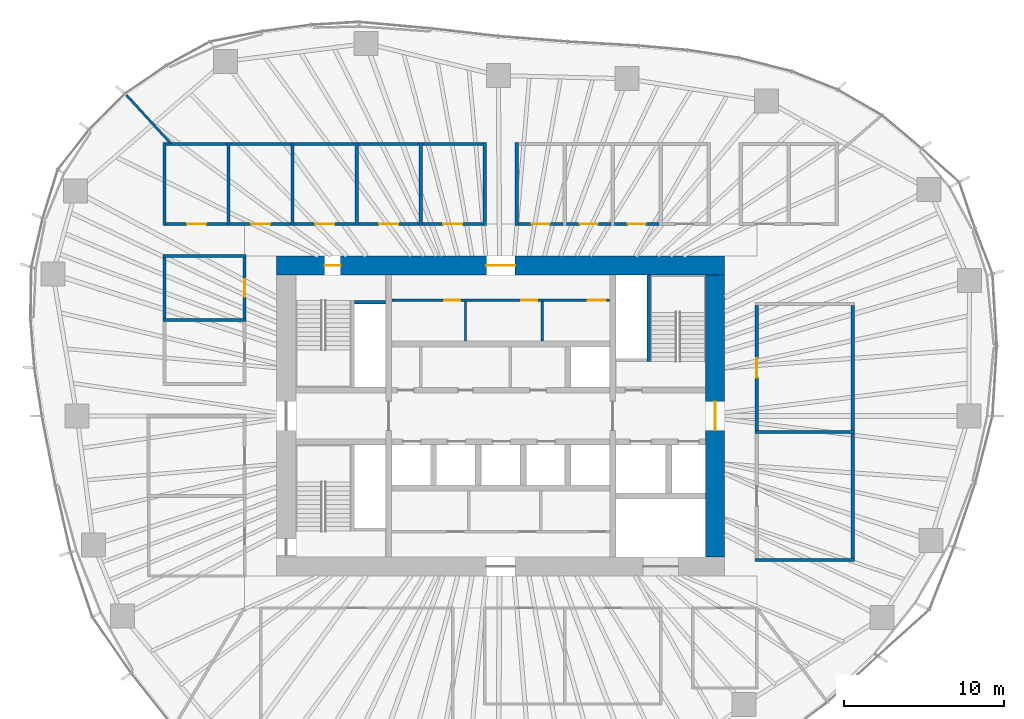
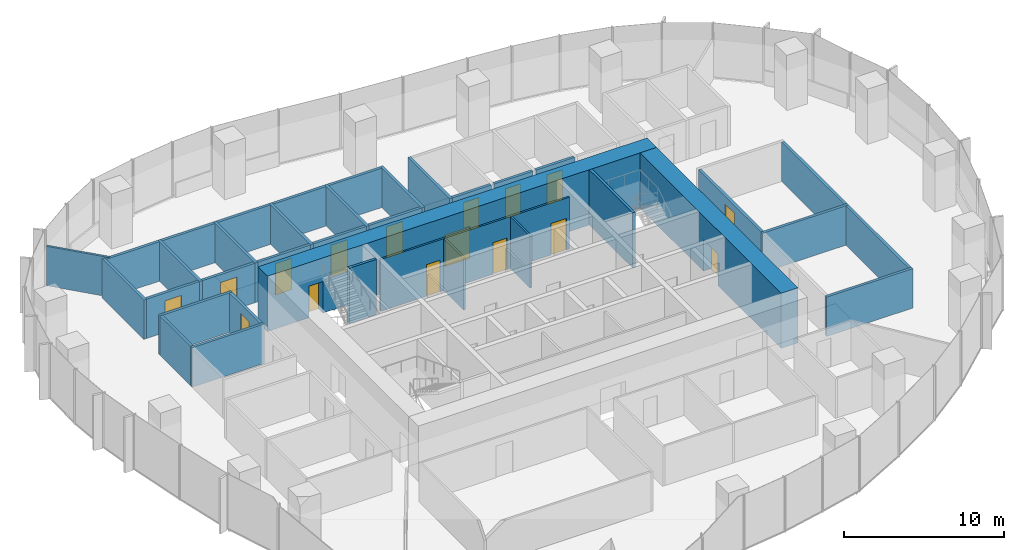
# One storey, part 10 of 18: 37 walls, 16 doors, 16 openings.
"""IFC4 building model written with IfcOpenShell, lengths in metres."""

from ifc_helpers import new_model, si_unit, direction, frame, frame_2d, origin, place, context, subcontext, project, spatial, rectangle, extrude, material, layer, layer_set, type_object, element, fill, save


model = new_model("IFC4")

# Units and contexts
model_context = context("Model", 3, precision=1e-05, world=origin(), true_north=direction((0.0, 1.0)))
body_context = subcontext(model_context, "Body", "Model", "MODEL_VIEW")
ifc_project = project(units=[si_unit("LENGTHUNIT", "METRE"), si_unit("AREAUNIT", "SQUARE_METRE"), si_unit("VOLUMEUNIT", "CUBIC_METRE"), si_unit("PLANEANGLEUNIT", "RADIAN"), si_unit("MASSUNIT", "GRAM", prefix="KILO")], contexts=[model_context])

# Site, building, storey
site_placement = place(None, origin())
site = spatial("IfcSite", under=ifc_project, at=site_placement, CompositionType="ELEMENT")
building_placement = place(site_placement, origin())
building = spatial("IfcBuilding", under=site, at=building_placement, Name="Ghaith Harvest Tower", CompositionType="ELEMENT")
storey_placement = place(building_placement, frame((0.0, 0.0, 142.800048828125)))
storey = spatial("IfcBuildingStorey", under=building, at=storey_placement, Name="L30", CompositionType="ELEMENT", Elevation=142.800048828125)

# Walls
ifc_material_1 = material(Name="Twin-stud gypsum board, acoustic", Category="gypsum")
ifc_layer_1 = layer(ifc_material_1, 0.199951171875)
ifc_layer_set_1 = layer_set([ifc_layer_1], Name="ACOUSTIC PARTITION 200")
wall_type_1 = type_object("IfcWallType", Name="ACOUSTIC PARTITION 200", PredefinedType="PARTITIONING", material=ifc_layer_set_1)
for number, where, z_axis, x_axis, name in (
    (1, (-21.0, 11.89990234375, 0.0), (0.0, 0.0, 1.0), (0.0, 1.0, 0.0), "Partition L30 row N3 cross wall 1"),
    (2, (-17.0, 11.89990234375, 0.0), (0.0, 0.0, 1.0), (0.0, 1.0, 0.0), "Partition L30 row N3 cross wall 2"),
    (3, (-13.0, 11.89990234375, 0.0), (0.0, 0.0, 1.0), (0.0, 1.0, 0.0), "Partition L30 row N3 cross wall 3"),
    (4, (-9.0, 11.89990234375, 0.0), (0.0, 0.0, 1.0), (0.0, 1.0, 0.0), "Partition L30 row N3 cross wall 4"),
    (5, (-5.0, 11.89990234375, 0.0), (0.0, 0.0, 1.0), (0.0, 1.0, 0.0), "Partition L30 row N3 cross wall 5"),
    (6, (-1.0, 11.89990234375, 0.0), (0.0, 0.0, 1.0), (0.0, 1.0, 0.0), "Partition L30 row N3 cross wall 6"),
):
    element("IfcWall", number, at=place(storey_placement, frame(where, z_axis=z_axis, x_axis=x_axis)), inside=storey, type_object=wall_type_1, Name=name, PredefinedType="PARTITIONING", context=body_context, shape_type="SweptSolid", body=[
        extrude(rectangle(XDim=5.2001953125, YDim=0.199951171875, at=frame_2d((2.60009765625, 0.0))), origin(), (0.0, 0.0, 1.0), 3.0),
    ])

# Wall, opening, door
wall_1_placement = place(storey_placement, frame((-20.89990234375, 12.0, 0.0), z_axis=(0.0, 0.0, 1.0), x_axis=(1.0, 0.0, 0.0)))
wall_1 = element("IfcWall", 7, at=wall_1_placement, inside=storey, type_object=wall_type_1, Name="Partition L30-04", PredefinedType="PARTITIONING", context=body_context, shape_type="SweptSolid", body=[
    extrude(rectangle(XDim=3.7998046875, YDim=0.199951171875, at=frame_2d((1.89990234375, 0.0))), origin(), (0.0, 0.0, 1.0), 3.0),
])
opening_1_placement = place(wall_1_placement, frame((1.300048828125, 0.0, 0.0)))
opening_1 = element("IfcOpeningElement", 8, at=opening_1_placement, cuts=wall_1, Name="Opening 30-029", PredefinedType="OPENING", context=body_context, shape_type="SweptSolid", body=[
    extrude(rectangle(XDim=1.199951171875, YDim=2.39990234375, at=frame_2d((0.60009765625, 1.199951171875))), frame((0.0, 0.10986328125, 0.0), z_axis=(0.0, -1.0, 0.0), x_axis=(1.0, 0.0, 0.0)), (0.0, 0.0, 1.0), 0.219970703125),
])
ifc_material_2 = material(Name="Timber door", Category="wood")
door_type_1 = type_object("IfcDoorType", Name="D11 GLAZED 1200x2400", OperationType="SINGLE_SWING_LEFT", PredefinedType="DOOR", material=ifc_material_2)
door_1_placement = place(opening_1_placement, origin())
door_1 = element("IfcDoor", 9, at=door_1_placement, inside=storey, type_object=door_type_1, Name="Meeting room door", OperationType="SINGLE_SWING_LEFT", OverallHeight=2.39990234375, OverallWidth=1.199951171875, PredefinedType="DOOR", context=body_context, shape_type="SweptSolid", body=[
    extrude(rectangle(XDim=1.199951171875, YDim=2.39990234375, at=frame_2d((0.60009765625, 1.199951171875))), frame((0.0, 0.02490234375, 0.0), z_axis=(0.0, -1.0, 0.0), x_axis=(1.0, 0.0, 0.0)), (0.0, 0.0, 1.0), 0.050048828125),
])
fill(opening_1, door_1)

# Wall
wall_2_placement = place(storey_placement, frame((-20.89990234375, 17.0, 0.0), z_axis=(0.0, 0.0, 1.0), x_axis=(1.0, 0.0, 0.0)))
element("IfcWall", 10, at=wall_2_placement, inside=storey, type_object=wall_type_1, Name="Partition L30-04", PredefinedType="PARTITIONING", context=body_context, shape_type="SweptSolid", body=[
    extrude(rectangle(XDim=3.7998046875, YDim=0.199951171875, at=frame_2d((1.89990234375, 0.0))), origin(), (0.0, 0.0, 1.0), 3.0),
])

# Wall, opening, door
wall_3_placement = place(storey_placement, frame((-16.89990234375, 12.0, 0.0), z_axis=(0.0, 0.0, 1.0), x_axis=(1.0, 0.0, 0.0)))
wall_3 = element("IfcWall", 11, at=wall_3_placement, inside=storey, type_object=wall_type_1, Name="Partition L30-05", PredefinedType="PARTITIONING", context=body_context, shape_type="SweptSolid", body=[
    extrude(rectangle(XDim=3.7998046875, YDim=0.199951171875, at=frame_2d((1.89990234375, 0.0))), origin(), (0.0, 0.0, 1.0), 3.0),
])
opening_2_placement = place(wall_3_placement, frame((1.300048828125, 0.0, 0.0)))
opening_2 = element("IfcOpeningElement", 12, at=opening_2_placement, cuts=wall_3, Name="Opening 30-030", PredefinedType="OPENING", context=body_context, shape_type="SweptSolid", body=[
    extrude(rectangle(XDim=1.199951171875, YDim=2.39990234375, at=frame_2d((0.60009765625, 1.199951171875))), frame((0.0, 0.10986328125, 0.0), z_axis=(0.0, -1.0, 0.0), x_axis=(1.0, 0.0, 0.0)), (0.0, 0.0, 1.0), 0.219970703125),
])
door_2_placement = place(opening_2_placement, origin())
door_2 = element("IfcDoor", 13, at=door_2_placement, inside=storey, type_object=door_type_1, Name="Meeting room door", OperationType="SINGLE_SWING_LEFT", OverallHeight=2.39990234375, OverallWidth=1.199951171875, PredefinedType="DOOR", context=body_context, shape_type="SweptSolid", body=[
    extrude(rectangle(XDim=1.199951171875, YDim=2.39990234375, at=frame_2d((0.60009765625, 1.199951171875))), frame((0.0, 0.02490234375, 0.0), z_axis=(0.0, -1.0, 0.0), x_axis=(1.0, 0.0, 0.0)), (0.0, 0.0, 1.0), 0.050048828125),
])
fill(opening_2, door_2)

# Wall
wall_4_placement = place(storey_placement, frame((-16.89990234375, 17.0, 0.0), z_axis=(0.0, 0.0, 1.0), x_axis=(1.0, 0.0, 0.0)))
element("IfcWall", 14, at=wall_4_placement, inside=storey, type_object=wall_type_1, Name="Partition L30-05", PredefinedType="PARTITIONING", context=body_context, shape_type="SweptSolid", body=[
    extrude(rectangle(XDim=3.7998046875, YDim=0.199951171875, at=frame_2d((1.89990234375, 0.0))), origin(), (0.0, 0.0, 1.0), 3.0),
])

# Wall, opening, door
wall_5_placement = place(storey_placement, frame((-12.89990234375, 12.0, 0.0), z_axis=(0.0, 0.0, 1.0), x_axis=(1.0, 0.0, 0.0)))
wall_5 = element("IfcWall", 15, at=wall_5_placement, inside=storey, type_object=wall_type_1, Name="Partition L30-06", PredefinedType="PARTITIONING", context=body_context, shape_type="SweptSolid", body=[
    extrude(rectangle(XDim=3.7998046875, YDim=0.199951171875, at=frame_2d((1.89990234375, 0.0))), origin(), (0.0, 0.0, 1.0), 3.0),
])
opening_3_placement = place(wall_5_placement, frame((1.300048828125, 0.0, 0.0)))
opening_3 = element("IfcOpeningElement", 16, at=opening_3_placement, cuts=wall_5, Name="Opening 30-031", PredefinedType="OPENING", context=body_context, shape_type="SweptSolid", body=[
    extrude(rectangle(XDim=1.199951171875, YDim=2.39990234375, at=frame_2d((0.60009765625, 1.199951171875))), frame((0.0, 0.10986328125, 0.0), z_axis=(0.0, -1.0, 0.0), x_axis=(1.0, 0.0, 0.0)), (0.0, 0.0, 1.0), 0.219970703125),
])
door_3_placement = place(opening_3_placement, origin())
door_3 = element("IfcDoor", 17, at=door_3_placement, inside=storey, type_object=door_type_1, Name="Meeting room door", OperationType="SINGLE_SWING_LEFT", OverallHeight=2.39990234375, OverallWidth=1.199951171875, PredefinedType="DOOR", context=body_context, shape_type="SweptSolid", body=[
    extrude(rectangle(XDim=1.199951171875, YDim=2.39990234375, at=frame_2d((0.60009765625, 1.199951171875))), frame((0.0, 0.02490234375, 0.0), z_axis=(0.0, -1.0, 0.0), x_axis=(1.0, 0.0, 0.0)), (0.0, 0.0, 1.0), 0.050048828125),
])
fill(opening_3, door_3)

# Wall
wall_6_placement = place(storey_placement, frame((-12.89990234375, 17.0, 0.0), z_axis=(0.0, 0.0, 1.0), x_axis=(1.0, 0.0, 0.0)))
element("IfcWall", 18, at=wall_6_placement, inside=storey, type_object=wall_type_1, Name="Partition L30-06", PredefinedType="PARTITIONING", context=body_context, shape_type="SweptSolid", body=[
    extrude(rectangle(XDim=3.7998046875, YDim=0.199951171875, at=frame_2d((1.89990234375, 0.0))), origin(), (0.0, 0.0, 1.0), 3.0),
])

# Wall, opening, door
wall_7_placement = place(storey_placement, frame((-8.89990234375, 12.0, 0.0), z_axis=(0.0, 0.0, 1.0), x_axis=(1.0, 0.0, 0.0)))
wall_7 = element("IfcWall", 19, at=wall_7_placement, inside=storey, type_object=wall_type_1, Name="Partition L30-07", PredefinedType="PARTITIONING", context=body_context, shape_type="SweptSolid", body=[
    extrude(rectangle(XDim=3.7998046875, YDim=0.199951171875, at=frame_2d((1.89990234375, 0.0))), origin(), (0.0, 0.0, 1.0), 3.0),
])
opening_4_placement = place(wall_7_placement, frame((1.300048828125, 0.0, 0.0)))
opening_4 = element("IfcOpeningElement", 20, at=opening_4_placement, cuts=wall_7, Name="Opening 30-032", PredefinedType="OPENING", context=body_context, shape_type="SweptSolid", body=[
    extrude(rectangle(XDim=1.199951171875, YDim=2.39990234375, at=frame_2d((0.60009765625, 1.199951171875))), frame((0.0, 0.10986328125, 0.0), z_axis=(0.0, -1.0, 0.0), x_axis=(1.0, 0.0, 0.0)), (0.0, 0.0, 1.0), 0.219970703125),
])
door_4_placement = place(opening_4_placement, origin())
door_4 = element("IfcDoor", 21, at=door_4_placement, inside=storey, type_object=door_type_1, Name="Meeting room door", OperationType="SINGLE_SWING_LEFT", OverallHeight=2.39990234375, OverallWidth=1.199951171875, PredefinedType="DOOR", context=body_context, shape_type="SweptSolid", body=[
    extrude(rectangle(XDim=1.199951171875, YDim=2.39990234375, at=frame_2d((0.60009765625, 1.199951171875))), frame((0.0, 0.02490234375, 0.0), z_axis=(0.0, -1.0, 0.0), x_axis=(1.0, 0.0, 0.0)), (0.0, 0.0, 1.0), 0.050048828125),
])
fill(opening_4, door_4)

# Wall
wall_8_placement = place(storey_placement, frame((-8.89990234375, 17.0, 0.0), z_axis=(0.0, 0.0, 1.0), x_axis=(1.0, 0.0, 0.0)))
element("IfcWall", 22, at=wall_8_placement, inside=storey, type_object=wall_type_1, Name="Partition L30-07", PredefinedType="PARTITIONING", context=body_context, shape_type="SweptSolid", body=[
    extrude(rectangle(XDim=3.7998046875, YDim=0.199951171875, at=frame_2d((1.89990234375, 0.0))), origin(), (0.0, 0.0, 1.0), 3.0),
])

# Wall, opening, door
wall_9_placement = place(storey_placement, frame((-4.89990234375, 12.0, 0.0), z_axis=(0.0, 0.0, 1.0), x_axis=(1.0, 0.0, 0.0)))
wall_9 = element("IfcWall", 23, at=wall_9_placement, inside=storey, type_object=wall_type_1, Name="Partition L30-08", PredefinedType="PARTITIONING", context=body_context, shape_type="SweptSolid", body=[
    extrude(rectangle(XDim=3.7998046875, YDim=0.199951171875, at=frame_2d((1.89990234375, 0.0))), origin(), (0.0, 0.0, 1.0), 3.0),
])
opening_5_placement = place(wall_9_placement, frame((1.300048828125, 0.0, 0.0)))
opening_5 = element("IfcOpeningElement", 24, at=opening_5_placement, cuts=wall_9, Name="Opening 30-033", PredefinedType="OPENING", context=body_context, shape_type="SweptSolid", body=[
    extrude(rectangle(XDim=1.199951171875, YDim=2.39990234375, at=frame_2d((0.60009765625, 1.199951171875))), frame((0.0, 0.10986328125, 0.0), z_axis=(0.0, -1.0, 0.0), x_axis=(1.0, 0.0, 0.0)), (0.0, 0.0, 1.0), 0.219970703125),
])
door_5_placement = place(opening_5_placement, origin())
door_5 = element("IfcDoor", 25, at=door_5_placement, inside=storey, type_object=door_type_1, Name="Meeting room door", OperationType="SINGLE_SWING_LEFT", OverallHeight=2.39990234375, OverallWidth=1.199951171875, PredefinedType="DOOR", context=body_context, shape_type="SweptSolid", body=[
    extrude(rectangle(XDim=1.199951171875, YDim=2.39990234375, at=frame_2d((0.60009765625, 1.199951171875))), frame((0.0, 0.02490234375, 0.0), z_axis=(0.0, -1.0, 0.0), x_axis=(1.0, 0.0, 0.0)), (0.0, 0.0, 1.0), 0.050048828125),
])
fill(opening_5, door_5)

# Walls
wall_10_placement = place(storey_placement, frame((-4.89990234375, 17.0, 0.0), z_axis=(0.0, 0.0, 1.0), x_axis=(1.0, 0.0, 0.0)))
element("IfcWall", 26, at=wall_10_placement, inside=storey, type_object=wall_type_1, Name="Partition L30-08", PredefinedType="PARTITIONING", context=body_context, shape_type="SweptSolid", body=[
    extrude(rectangle(XDim=3.7998046875, YDim=0.199951171875, at=frame_2d((1.89990234375, 0.0))), origin(), (0.0, 0.0, 1.0), 3.0),
])
wall_11_placement = place(storey_placement, frame((1.0, 11.89990234375, 0.0), z_axis=(0.0, 0.0, 1.0), x_axis=(0.0, 1.0, 0.0)))
element("IfcWall", 27, at=wall_11_placement, inside=storey, type_object=wall_type_1, Name="Partition L30 row N4 cross wall 1", PredefinedType="PARTITIONING", context=body_context, shape_type="SweptSolid", body=[
    extrude(rectangle(XDim=5.2001953125, YDim=0.199951171875, at=frame_2d((2.60009765625, 0.0))), origin(), (0.0, 0.0, 1.0), 3.0),
])

# Wall, opening, door
wall_12_placement = place(storey_placement, frame((1.10009765625, 12.0, 0.0), z_axis=(0.0, 0.0, 1.0), x_axis=(1.0, 0.0, 0.0)))
wall_12 = element("IfcWall", 28, at=wall_12_placement, inside=storey, type_object=wall_type_1, Name="Partition L30-09", PredefinedType="PARTITIONING", context=body_context, shape_type="SweptSolid", body=[
    extrude(rectangle(XDim=2.7998046875, YDim=0.199951171875, at=frame_2d((1.39990234375, 0.0))), origin(), (0.0, 0.0, 1.0), 3.0),
])
opening_6_placement = place(wall_12_placement, frame((0.85009765625, 0.0, 0.0)))
opening_6 = element("IfcOpeningElement", 29, at=opening_6_placement, cuts=wall_12, Name="Opening 30-034", PredefinedType="OPENING", context=body_context, shape_type="SweptSolid", body=[
    extrude(rectangle(XDim=1.10009765625, YDim=2.300048828125, at=frame_2d((0.550048828125, 1.14990234375))), frame((0.0, 0.10986328125, 0.0), z_axis=(0.0, -1.0, 0.0), x_axis=(1.0, 0.0, 0.0)), (0.0, 0.0, 1.0), 0.219970703125),
])
ifc_material_3 = material(Name="Timber-framed glazed door", Category="wood")
door_type_2 = type_object("IfcDoorType", Name="D12 GLAZED OFFICE 1100x2300", OperationType="SINGLE_SWING_LEFT", PredefinedType="DOOR", material=ifc_material_3)
door_6_placement = place(opening_6_placement, origin())
door_6 = element("IfcDoor", 30, at=door_6_placement, inside=storey, type_object=door_type_2, Name="Focus room door", OperationType="SINGLE_SWING_LEFT", OverallHeight=2.300048828125, OverallWidth=1.10009765625, PredefinedType="DOOR", context=body_context, shape_type="SweptSolid", body=[
    extrude(rectangle(XDim=1.10009765625, YDim=2.300048828125, at=frame_2d((0.550048828125, 1.14990234375))), frame((0.0, 0.02490234375, 0.0), z_axis=(0.0, -1.0, 0.0), x_axis=(1.0, 0.0, 0.0)), (0.0, 0.0, 1.0), 0.050048828125),
])
fill(opening_6, door_6)

wall_13_placement = place(storey_placement, frame((4.10009765625, 12.0, 0.0), z_axis=(0.0, 0.0, 1.0), x_axis=(1.0, 0.0, 0.0)))
wall_13 = element("IfcWall", 31, at=wall_13_placement, inside=storey, type_object=wall_type_1, Name="Partition L30-10", PredefinedType="PARTITIONING", context=body_context, shape_type="SweptSolid", body=[
    extrude(rectangle(XDim=2.7998046875, YDim=0.199951171875, at=frame_2d((1.39990234375, 0.0))), origin(), (0.0, 0.0, 1.0), 3.0),
])
opening_7_placement = place(wall_13_placement, frame((0.85009765625, 0.0, 0.0)))
opening_7 = element("IfcOpeningElement", 32, at=opening_7_placement, cuts=wall_13, Name="Opening 30-035", PredefinedType="OPENING", context=body_context, shape_type="SweptSolid", body=[
    extrude(rectangle(XDim=1.10009765625, YDim=2.300048828125, at=frame_2d((0.550048828125, 1.14990234375))), frame((0.0, 0.10986328125, 0.0), z_axis=(0.0, -1.0, 0.0), x_axis=(1.0, 0.0, 0.0)), (0.0, 0.0, 1.0), 0.219970703125),
])
door_7_placement = place(opening_7_placement, origin())
door_7 = element("IfcDoor", 33, at=door_7_placement, inside=storey, type_object=door_type_2, Name="Focus room door", OperationType="SINGLE_SWING_LEFT", OverallHeight=2.300048828125, OverallWidth=1.10009765625, PredefinedType="DOOR", context=body_context, shape_type="SweptSolid", body=[
    extrude(rectangle(XDim=1.10009765625, YDim=2.300048828125, at=frame_2d((0.550048828125, 1.14990234375))), frame((0.0, 0.02490234375, 0.0), z_axis=(0.0, -1.0, 0.0), x_axis=(1.0, 0.0, 0.0)), (0.0, 0.0, 1.0), 0.050048828125),
])
fill(opening_7, door_7)

wall_14_placement = place(storey_placement, frame((7.10009765625, 12.0, 0.0), z_axis=(0.0, 0.0, 1.0), x_axis=(1.0, 0.0, 0.0)))
wall_14 = element("IfcWall", 34, at=wall_14_placement, inside=storey, type_object=wall_type_1, Name="Partition L30-11", PredefinedType="PARTITIONING", context=body_context, shape_type="SweptSolid", body=[
    extrude(rectangle(XDim=2.7998046875, YDim=0.199951171875, at=frame_2d((1.39990234375, 0.0))), origin(), (0.0, 0.0, 1.0), 3.0),
])
opening_8_placement = place(wall_14_placement, frame((0.85009765625, 0.0, 0.0)))
opening_8 = element("IfcOpeningElement", 35, at=opening_8_placement, cuts=wall_14, Name="Opening 30-036", PredefinedType="OPENING", context=body_context, shape_type="SweptSolid", body=[
    extrude(rectangle(XDim=1.10009765625, YDim=2.300048828125, at=frame_2d((0.550048828125, 1.14990234375))), frame((0.0, 0.10986328125, 0.0), z_axis=(0.0, -1.0, 0.0), x_axis=(1.0, 0.0, 0.0)), (0.0, 0.0, 1.0), 0.219970703125),
])
door_8_placement = place(opening_8_placement, origin())
door_8 = element("IfcDoor", 36, at=door_8_placement, inside=storey, type_object=door_type_2, Name="Focus room door", OperationType="SINGLE_SWING_LEFT", OverallHeight=2.300048828125, OverallWidth=1.10009765625, PredefinedType="DOOR", context=body_context, shape_type="SweptSolid", body=[
    extrude(rectangle(XDim=1.10009765625, YDim=2.300048828125, at=frame_2d((0.550048828125, 1.14990234375))), frame((0.0, 0.02490234375, 0.0), z_axis=(0.0, -1.0, 0.0), x_axis=(1.0, 0.0, 0.0)), (0.0, 0.0, 1.0), 0.050048828125),
])
fill(opening_8, door_8)

# Walls
for number, where, z_axis, x_axis, name in (
    (37, (15.89990234375, -9.0, 0.0), (0.0, 0.0, 1.0), (1.0, 0.0, 0.0), "Partition L30 row E5 cross wall 1"),
    (38, (15.89990234375, -1.0, 0.0), (0.0, 0.0, 1.0), (1.0, 0.0, 0.0), "Partition L30 row E5 cross wall 2"),
):
    element("IfcWall", number, at=place(storey_placement, frame(where, z_axis=z_axis, x_axis=x_axis)), inside=storey, type_object=wall_type_1, Name=name, PredefinedType="PARTITIONING", context=body_context, shape_type="SweptSolid", body=[
        extrude(rectangle(XDim=6.2001953125, YDim=0.199951171875, at=frame_2d((3.10009765625, 0.0))), origin(), (0.0, 0.0, 1.0), 3.0),
    ])
wall_15_placement = place(storey_placement, frame((22.0, -8.89990234375, 0.0), z_axis=(0.0, 0.0, 1.0), x_axis=(0.0, 1.0, 0.0)))
element("IfcWall", 39, at=wall_15_placement, inside=storey, type_object=wall_type_1, Name="Partition L30-13", PredefinedType="PARTITIONING", context=body_context, shape_type="SweptSolid", body=[
    extrude(rectangle(XDim=7.7998046875, YDim=0.199951171875, at=frame_2d((3.89990234375, 0.0))), origin(), (0.0, 0.0, 1.0), 3.0),
])

# Wall, opening, door
wall_16_placement = place(storey_placement, frame((16.0, -0.89990234375, 0.0), z_axis=(0.0, 0.0, 1.0), x_axis=(0.0, 1.0, 0.0)))
wall_16 = element("IfcWall", 40, at=wall_16_placement, inside=storey, type_object=wall_type_1, Name="Partition L30-14", PredefinedType="PARTITIONING", context=body_context, shape_type="SweptSolid", body=[
    extrude(rectangle(XDim=7.7998046875, YDim=0.199951171875, at=frame_2d((3.89990234375, 0.0))), origin(), (0.0, 0.0, 1.0), 3.0),
])
opening_9_placement = place(wall_16_placement, frame((3.300048828125, 0.0, 0.0)))
opening_9 = element("IfcOpeningElement", 41, at=opening_9_placement, cuts=wall_16, Name="Opening 30-039", PredefinedType="OPENING", context=body_context, shape_type="SweptSolid", body=[
    extrude(rectangle(XDim=1.199951171875, YDim=2.39990234375, at=frame_2d((0.60009765625, 1.199951171875))), frame((0.0, 0.10986328125, 0.0), z_axis=(0.0, -1.0, 0.0), x_axis=(1.0, 0.0, 0.0)), (0.0, 0.0, 1.0), 0.219970703125),
])
door_9_placement = place(opening_9_placement, origin())
door_9 = element("IfcDoor", 42, at=door_9_placement, inside=storey, type_object=door_type_1, Name="Meeting room door", OperationType="SINGLE_SWING_LEFT", OverallHeight=2.39990234375, OverallWidth=1.199951171875, PredefinedType="DOOR", context=body_context, shape_type="SweptSolid", body=[
    extrude(rectangle(XDim=1.199951171875, YDim=2.39990234375, at=frame_2d((0.60009765625, 1.199951171875))), frame((0.0, 0.02490234375, 0.0), z_axis=(0.0, -1.0, 0.0), x_axis=(1.0, 0.0, 0.0)), (0.0, 0.0, 1.0), 0.050048828125),
])
fill(opening_9, door_9)

# Walls
wall_17_placement = place(storey_placement, frame((22.0, -0.89990234375, 0.0), z_axis=(0.0, 0.0, 1.0), x_axis=(0.0, 1.0, 0.0)))
element("IfcWall", 43, at=wall_17_placement, inside=storey, type_object=wall_type_1, Name="Partition L30-14", PredefinedType="PARTITIONING", context=body_context, shape_type="SweptSolid", body=[
    extrude(rectangle(XDim=7.7998046875, YDim=0.199951171875, at=frame_2d((3.89990234375, 0.0))), origin(), (0.0, 0.0, 1.0), 3.0),
])
for number, where, z_axis, x_axis, name in (
    (44, (-15.89990234375, 6.0, 0.0), (0.0, 0.0, 1.0), (-1.0, 0.0, 0.0), "Partition L30 row W9 cross wall 2"),
    (45, (-15.89990234375, 10.0, 0.0), (0.0, 0.0, 1.0), (-1.0, 0.0, 0.0), "Partition L30 row W9 cross wall 3"),
):
    element("IfcWall", number, at=place(storey_placement, frame(where, z_axis=z_axis, x_axis=x_axis)), inside=storey, type_object=wall_type_1, Name=name, PredefinedType="PARTITIONING", context=body_context, shape_type="SweptSolid", body=[
        extrude(rectangle(XDim=5.2001953125, YDim=0.199951171875, at=frame_2d((2.60009765625, 0.0))), origin(), (0.0, 0.0, 1.0), 3.0),
    ])

# Wall, opening, door
wall_18_placement = place(storey_placement, frame((-16.0, 6.10009765625, 0.0), z_axis=(0.0, 0.0, 1.0), x_axis=(0.0, 1.0, 0.0)))
wall_18 = element("IfcWall", 46, at=wall_18_placement, inside=storey, type_object=wall_type_1, Name="Partition L30-21", PredefinedType="PARTITIONING", context=body_context, shape_type="SweptSolid", body=[
    extrude(rectangle(XDim=3.7998046875, YDim=0.199951171875, at=frame_2d((1.89990234375, 0.0))), origin(), (0.0, 0.0, 1.0), 3.0),
])
opening_10_placement = place(wall_18_placement, frame((1.35009765625, 0.0, 0.0)))
opening_10 = element("IfcOpeningElement", 47, at=opening_10_placement, cuts=wall_18, Name="Opening 30-046", PredefinedType="OPENING", context=body_context, shape_type="SweptSolid", body=[
    extrude(rectangle(XDim=1.10009765625, YDim=2.300048828125, at=frame_2d((0.550048828125, 1.14990234375))), frame((0.0, 0.10986328125, 0.0), z_axis=(0.0, -1.0, 0.0), x_axis=(1.0, 0.0, 0.0)), (0.0, 0.0, 1.0), 0.219970703125),
])
door_10_placement = place(opening_10_placement, origin())
door_10 = element("IfcDoor", 48, at=door_10_placement, inside=storey, type_object=door_type_2, Name="Quiet room door", OperationType="SINGLE_SWING_LEFT", OverallHeight=2.300048828125, OverallWidth=1.10009765625, PredefinedType="DOOR", context=body_context, shape_type="SweptSolid", body=[
    extrude(rectangle(XDim=1.10009765625, YDim=2.300048828125, at=frame_2d((0.550048828125, 1.14990234375))), frame((0.0, 0.02490234375, 0.0), z_axis=(0.0, -1.0, 0.0), x_axis=(1.0, 0.0, 0.0)), (0.0, 0.0, 1.0), 0.050048828125),
])
fill(opening_10, door_10)

# Wall
wall_19_placement = place(storey_placement, frame((-21.0, 6.10009765625, 0.0), z_axis=(0.0, 0.0, 1.0), x_axis=(0.0, 1.0, 0.0)))
element("IfcWall", 49, at=wall_19_placement, inside=storey, type_object=wall_type_1, Name="Partition L30-21", PredefinedType="PARTITIONING", context=body_context, shape_type="SweptSolid", body=[
    extrude(rectangle(XDim=3.7998046875, YDim=0.199951171875, at=frame_2d((1.89990234375, 0.0))), origin(), (0.0, 0.0, 1.0), 3.0),
])

# Wall, openings, doors
ifc_material_4 = material(Name="Concrete blockwork, fair-faced", Category="masonry")
ifc_layer_2 = layer(ifc_material_4, 0.139892578125)
ifc_layer_set_2 = layer_set([ifc_layer_2], Name="CORE PARTITION 140")
wall_type_2 = type_object("IfcWallType", Name="CORE PARTITION 140", PredefinedType="PARTITIONING", material=ifc_layer_set_2)
wall_20_placement = place(storey_placement, frame((-6.800048828125, 7.22998046875, 0.0), z_axis=(0.0, 0.0, 1.0), x_axis=(1.0, 0.0, 0.0)))
wall_20 = element("IfcWall", 50, at=wall_20_placement, inside=storey, type_object=wall_type_2, Name="Core partition L30", PredefinedType="PARTITIONING", context=body_context, shape_type="SweptSolid", body=[
    extrude(rectangle(XDim=13.60009765625, YDim=0.139892578125, at=frame_2d((6.800048828125, 0.0))), origin(), (0.0, 0.0, 1.0), 3.949951171875),
])
opening_11_placement = place(wall_20_placement, frame((3.280029296875, 0.0, 0.0)))
opening_11 = element("IfcOpeningElement", 51, at=opening_11_placement, cuts=wall_20, Name="Opening 30-008", PredefinedType="OPENING", context=body_context, shape_type="SweptSolid", body=[
    extrude(rectangle(XDim=1.0, YDim=2.39990234375, at=frame_2d((0.5, 1.199951171875))), frame((0.0, 0.080078125, 0.0), z_axis=(0.0, -1.0, 0.0), x_axis=(1.0, 0.0, 0.0)), (0.0, 0.0, 1.0), 0.159912109375),
])
opening_12_placement = place(wall_20_placement, frame((8.080078125, 0.0, 0.0)))
opening_12 = element("IfcOpeningElement", 52, at=opening_12_placement, cuts=wall_20, Name="Opening 30-009", PredefinedType="OPENING", context=body_context, shape_type="SweptSolid", body=[
    extrude(rectangle(XDim=1.0, YDim=2.39990234375, at=frame_2d((0.5, 1.199951171875))), frame((0.0, 0.080078125, 0.0), z_axis=(0.0, -1.0, 0.0), x_axis=(1.0, 0.0, 0.0)), (0.0, 0.0, 1.0), 0.159912109375),
])
opening_13_placement = place(wall_20_placement, frame((12.25, 0.0, 0.0)))
opening_13 = element("IfcOpeningElement", 53, at=opening_13_placement, cuts=wall_20, Name="Opening 30-010", PredefinedType="OPENING", context=body_context, shape_type="SweptSolid", body=[
    extrude(rectangle(XDim=1.10009765625, YDim=2.39990234375, at=frame_2d((0.550048828125, 1.199951171875))), frame((0.0, 0.080078125, 0.0), z_axis=(0.0, -1.0, 0.0), x_axis=(1.0, 0.0, 0.0)), (0.0, 0.0, 1.0), 0.159912109375),
])
ifc_material_5 = material(Name="Steel fire door", Category="steel")
door_type_3 = type_object("IfcDoorType", Name="D3 FD90 1000x2400", OperationType="SINGLE_SWING_LEFT", PredefinedType="DOOR", material=ifc_material_5)
door_11_placement = place(opening_11_placement, origin())
door_11 = element("IfcDoor", 54, at=door_11_placement, inside=storey, type_object=door_type_3, Name="Female WC door", OperationType="SINGLE_SWING_LEFT", OverallHeight=2.39990234375, OverallWidth=1.0, PredefinedType="DOOR", context=body_context, shape_type="SweptSolid", body=[
    extrude(rectangle(XDim=1.0, YDim=2.39990234375, at=frame_2d((0.5, 1.199951171875))), frame((0.0, 0.02490234375, 0.0), z_axis=(0.0, -1.0, 0.0), x_axis=(1.0, 0.0, 0.0)), (0.0, 0.0, 1.0), 0.050048828125),
])
fill(opening_11, door_11)
door_12_placement = place(opening_12_placement, origin())
door_12 = element("IfcDoor", 55, at=door_12_placement, inside=storey, type_object=door_type_3, Name="Male WC door", OperationType="SINGLE_SWING_RIGHT", OverallHeight=2.39990234375, OverallWidth=1.0, PredefinedType="DOOR", context=body_context, shape_type="SweptSolid", body=[
    extrude(rectangle(XDim=1.0, YDim=2.39990234375, at=frame_2d((0.5, 1.199951171875))), frame((0.0, 0.02490234375, 0.0), z_axis=(0.0, -1.0, 0.0), x_axis=(1.0, 0.0, 0.0)), (0.0, 0.0, 1.0), 0.050048828125),
])
fill(opening_12, door_12)
ifc_material_6 = material(Name="Steel fire door", Category="steel")
door_type_4 = type_object("IfcDoorType", Name="D9 FD90 1100x2400", OperationType="SINGLE_SWING_LEFT", PredefinedType="DOOR", material=ifc_material_6)
door_13_placement = place(opening_13_placement, origin())
door_13 = element("IfcDoor", 56, at=door_13_placement, inside=storey, type_object=door_type_4, Name="Accessible WC door", OperationType="SINGLE_SWING_RIGHT", OverallHeight=2.39990234375, OverallWidth=1.10009765625, PredefinedType="DOOR", context=body_context, shape_type="SweptSolid", body=[
    extrude(rectangle(XDim=1.10009765625, YDim=2.39990234375, at=frame_2d((0.550048828125, 1.199951171875))), frame((0.0, 0.02490234375, 0.0), z_axis=(0.0, -1.0, 0.0), x_axis=(1.0, 0.0, 0.0)), (0.0, 0.0, 1.0), 0.050048828125),
])
fill(opening_13, door_13)

# Walls
for number, where, z_axis, x_axis, name in (
    (57, (-2.199951171875, 4.699951171875, 0.0), (0.0, 0.0, 1.0), (0.0, 1.0, 0.0), "Core partition L30"),
    (58, (2.60009765625, 4.699951171875, 0.0), (0.0, 0.0, 1.0), (0.0, 1.0, 0.0), "Core partition L30"),
):
    element("IfcWall", number, at=place(storey_placement, frame(where, z_axis=z_axis, x_axis=x_axis)), inside=storey, type_object=wall_type_2, Name=name, PredefinedType="PARTITIONING", context=body_context, shape_type="SweptSolid", body=[
        extrude(rectangle(XDim=2.4599609375, YDim=0.139892578125, at=frame_2d((1.22998046875, 0.0))), origin(), (0.0, 0.0, 1.0), 3.949951171875),
    ])

# Wall, openings, doors
ifc_material_7 = material(Name="Concrete C60/75", Category="concrete")
ifc_layer_3 = layer(ifc_material_7, 1.199951171875)
ifc_layer_set_3 = layer_set([ifc_layer_3], Name="CORE WALL CW1200 C60")
wall_type_3 = type_object("IfcWallType", Name="CORE WALL CW1200 C60", PredefinedType="SHEAR", material=ifc_layer_set_3)
wall_21_placement = place(storey_placement, frame((14.0, 9.39990234375, 0.0), z_axis=(0.0, 0.0, 1.0), x_axis=(-1.0, 0.0, 0.0)))
wall_21 = element("IfcWall", 59, at=wall_21_placement, inside=storey, type_object=wall_type_3, Name="Core wall N L30", PredefinedType="SHEAR", context=body_context, shape_type="SweptSolid", body=[
    extrude(rectangle(XDim=28.0, YDim=1.199951171875, at=frame_2d((14.0, 0.0))), origin(), (0.0, 0.0, 1.0), 4.199951171875),
])
opening_14_placement = place(wall_21_placement, frame((24.0, 0.0, 0.0)))
opening_14 = element("IfcOpeningElement", 60, at=opening_14_placement, cuts=wall_21, Name="Opening 30-005", PredefinedType="OPENING", context=body_context, shape_type="SweptSolid", body=[
    extrude(rectangle(XDim=1.0, YDim=2.39990234375, at=frame_2d((0.5, 1.199951171875))), frame((0.0, 0.60986328125, 0.0), z_axis=(0.0, -1.0, 0.0), x_axis=(1.0, 0.0, 0.0)), (0.0, 0.0, 1.0), 1.219970703125),
])
opening_15_placement = place(wall_21_placement, frame((13.10009765625, 0.0, 0.0)))
opening_15 = element("IfcOpeningElement", 61, at=opening_15_placement, cuts=wall_21, Name="Opening 30-017", PredefinedType="OPENING", context=body_context, shape_type="SweptSolid", body=[
    extrude(rectangle(XDim=1.800048828125, YDim=2.39990234375, at=frame_2d((0.89990234375, 1.199951171875))), frame((0.0, 0.60986328125, 0.0), z_axis=(0.0, -1.0, 0.0), x_axis=(1.0, 0.0, 0.0)), (0.0, 0.0, 1.0), 1.219970703125),
])
door_14_placement = place(opening_14_placement, origin())
door_14 = element("IfcDoor", 62, at=door_14_placement, inside=storey, type_object=door_type_3, Name="Stair ST1 door", OperationType="SINGLE_SWING_RIGHT", OverallHeight=2.39990234375, OverallWidth=1.0, PredefinedType="DOOR", context=body_context, shape_type="SweptSolid", body=[
    extrude(rectangle(XDim=1.0, YDim=2.39990234375, at=frame_2d((0.5, 1.199951171875))), frame((0.0, 0.02490234375, 0.0), z_axis=(0.0, -1.0, 0.0), x_axis=(1.0, 0.0, 0.0)), (0.0, 0.0, 1.0), 0.050048828125),
])
fill(opening_14, door_14)
ifc_material_8 = material(Name="Steel fire door", Category="steel")
door_type_5 = type_object("IfcDoorType", Name="D4 FD90 PAIR 1800x2400", OperationType="DOUBLE_DOOR_SINGLE_SWING", PredefinedType="DOOR", material=ifc_material_8)
door_15_placement = place(opening_15_placement, origin())
door_15 = element("IfcDoor", 63, at=door_15_placement, inside=storey, type_object=door_type_5, Name="Core service corridor doors", OperationType="DOUBLE_DOOR_SINGLE_SWING", OverallHeight=2.39990234375, OverallWidth=1.800048828125, PredefinedType="DOOR", context=body_context, shape_type="SweptSolid", body=[
    extrude(rectangle(XDim=1.800048828125, YDim=2.39990234375, at=frame_2d((0.89990234375, 1.199951171875))), frame((0.0, 0.02490234375, 0.0), z_axis=(0.0, -1.0, 0.0), x_axis=(1.0, 0.0, 0.0)), (0.0, 0.0, 1.0), 0.050048828125),
])
fill(opening_15, door_15)

# Wall, opening, door
wall_22_placement = place(storey_placement, frame((13.39990234375, -8.800048828125, 0.0), z_axis=(0.0, 0.0, 1.0), x_axis=(0.0, 1.0, 0.0)))
wall_22 = element("IfcWall", 64, at=wall_22_placement, inside=storey, type_object=wall_type_3, Name="Core wall E L30", PredefinedType="SHEAR", context=body_context, shape_type="SweptSolid", body=[
    extrude(rectangle(XDim=17.60009765625, YDim=1.199951171875, at=frame_2d((8.800048828125, 0.0))), origin(), (0.0, 0.0, 1.0), 4.199951171875),
])
opening_16_placement = place(wall_22_placement, frame((7.89990234375, 0.0, 0.0)))
opening_16 = element("IfcOpeningElement", 65, at=opening_16_placement, cuts=wall_22, Name="Opening 30-002", PredefinedType="OPENING", context=body_context, shape_type="SweptSolid", body=[
    extrude(rectangle(XDim=1.800048828125, YDim=2.39990234375, at=frame_2d((0.89990234375, 1.199951171875))), frame((0.0, 0.60986328125, 0.0), z_axis=(0.0, -1.0, 0.0), x_axis=(1.0, 0.0, 0.0)), (0.0, 0.0, 1.0), 1.219970703125),
])
door_16_placement = place(opening_16_placement, origin())
door_16 = element("IfcDoor", 66, at=door_16_placement, inside=storey, type_object=door_type_5, Name="Fire-fighting lobby doors", OperationType="DOUBLE_DOOR_SINGLE_SWING", OverallHeight=2.39990234375, OverallWidth=1.800048828125, PredefinedType="DOOR", context=body_context, shape_type="SweptSolid", body=[
    extrude(rectangle(XDim=1.800048828125, YDim=2.39990234375, at=frame_2d((0.89990234375, 1.199951171875))), frame((0.0, 0.02490234375, 0.0), z_axis=(0.0, -1.0, 0.0), x_axis=(1.0, 0.0, 0.0)), (0.0, 0.0, 1.0), 0.050048828125),
])
fill(opening_16, door_16)

# Walls
ifc_material_9 = material(Name="Gypsum board on steel studs", Category="steel")
ifc_layer_4 = layer(ifc_material_9, 0.14990234375)
ifc_layer_set_4 = layer_set([ifc_layer_4], Name="PARTITION 150")
wall_type_4 = type_object("IfcWallType", Name="PARTITION 150", PredefinedType="PARTITIONING", material=ifc_layer_set_4)
wall_23_placement = place(storey_placement, frame((-20.607177734375, 17.02001953125, 0.0), z_axis=(0.0, 0.0, 1.0), x_axis=(-0.676173993609, 0.736741970005, 0.0)))
element("IfcWall", 67, at=wall_23_placement, inside=storey, type_object=wall_type_4, Name="Partition L30 zone division", PredefinedType="PARTITIONING", context=body_context, shape_type="SweptSolid", body=[
    extrude(rectangle(XDim=4.107421875, YDim=0.14990234375, at=frame_2d((2.0537109375, 0.0))), origin(), (0.0, 0.0, 1.0), 3.0),
])
ifc_material_10 = material(Name="Concrete C40/50", Category="concrete")
ifc_layer_5 = layer(ifc_material_10, 0.199951171875)
ifc_layer_set_5 = layer_set([ifc_layer_5], Name="STAIR SPINE WALL RC200")
wall_type_5 = type_object("IfcWallType", Name="STAIR SPINE WALL RC200", PredefinedType="SOLIDWALL", material=ifc_layer_set_5)
wall_24_placement = place(storey_placement, frame((-9.14990234375, 7.10009765625, 0.0), z_axis=(0.0, 0.0, 1.0), x_axis=(1.0, 0.0, 0.0)))
element("IfcWall", 68, at=wall_24_placement, inside=storey, type_object=wall_type_5, Name="Stair ST1 spine wall return L30", PredefinedType="SOLIDWALL", context=body_context, shape_type="SweptSolid", body=[
    extrude(rectangle(XDim=1.949951171875, YDim=0.199951171875, at=frame_2d((0.97509765625, 0.0))), origin(), (0.0, 0.0, 1.0), 4.199951171875),
])
wall_25_placement = place(storey_placement, frame((9.25, 3.39990234375, 0.0), z_axis=(0.0, 0.0, 1.0), x_axis=(0.0, 1.0, 0.0)))
element("IfcWall", 69, at=wall_25_placement, inside=storey, type_object=wall_type_5, Name="Stair ST2 spine wall L30", PredefinedType="SOLIDWALL", context=body_context, shape_type="SweptSolid", body=[
    extrude(rectangle(XDim=5.400146484375, YDim=0.199951171875, at=frame_2d((2.7001953125, 0.0))), origin(), (0.0, 0.0, 1.0), 4.199951171875),
])

save(model, "model.ifc")
